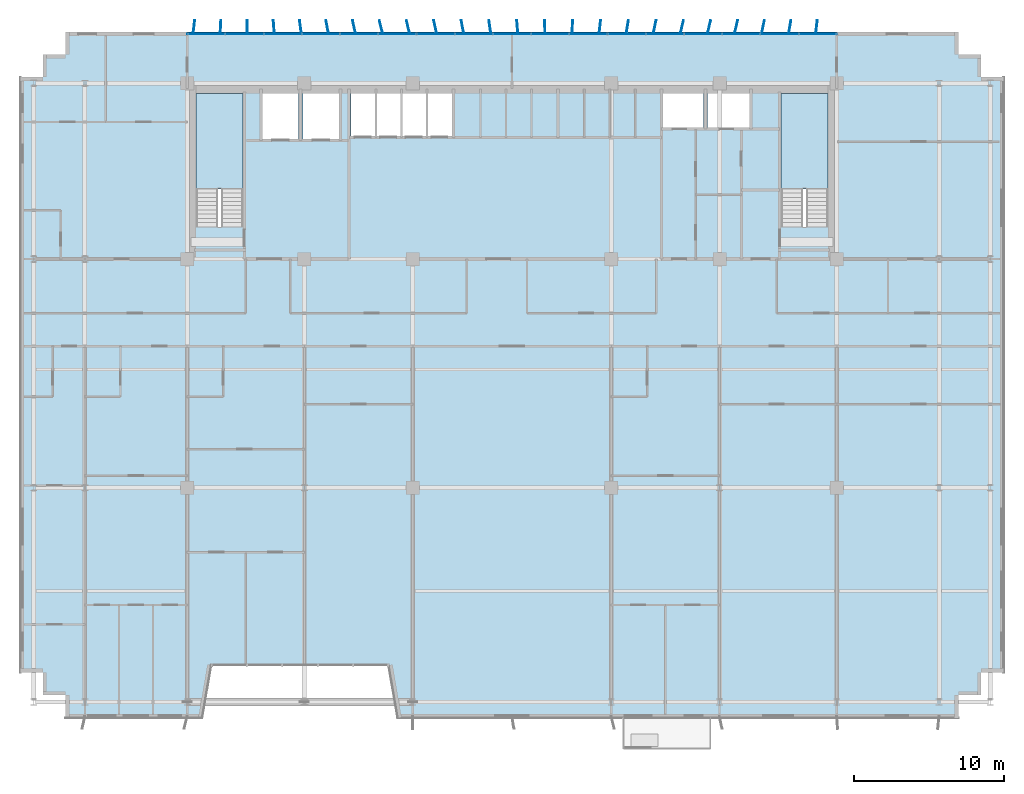
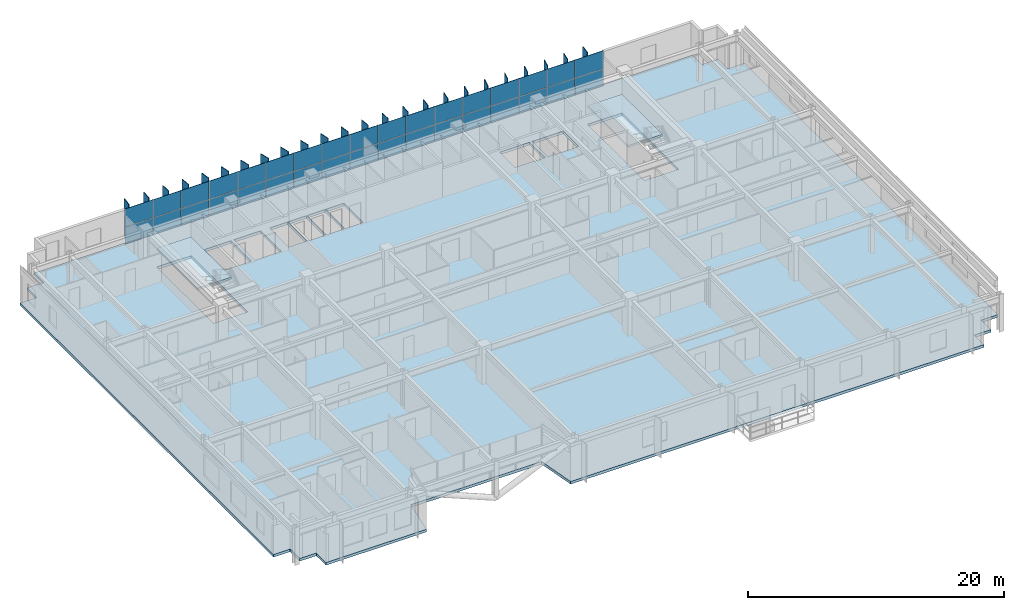
# One storey, part 17 of 25: 58 plates, 3 slabs, 3 elements without a shape of their own.
"""IFC4 building model written with IfcOpenShell, lengths in metres."""

from ifc_helpers import new_model, si_unit, direction, frame, origin, origin_2d, place, context, subcontext, project, spatial, polyline, rectangle, outline, extrude, source, transform, mapped, material, layer, layer_set, type_object, element, aggregate, save


model = new_model("IFC4")

# Units and contexts
model_context = context("Model", 3, precision=1e-05, world=origin(), true_north=direction((0.0, 1.0)))
body_context = subcontext(model_context, "Body", "Model", "MODEL_VIEW")
ifc_project = project(units=[si_unit("LENGTHUNIT", "METRE"), si_unit("AREAUNIT", "SQUARE_METRE"), si_unit("VOLUMEUNIT", "CUBIC_METRE"), si_unit("PLANEANGLEUNIT", "RADIAN"), si_unit("MASSUNIT", "GRAM", prefix="KILO")], contexts=[model_context])

# Site, building, storey
site_placement = place(None, origin())
site = spatial("IfcSite", under=ifc_project, at=site_placement, CompositionType="ELEMENT")
building_placement = place(site_placement, origin())
building = spatial("IfcBuilding", under=site, at=building_placement, Name="Trelvane Seafront Commons", CompositionType="ELEMENT")
storey_placement = place(building_placement, frame((0.0, 0.0, 66.699951171875)))
storey = spatial("IfcBuildingStorey", under=building, at=storey_placement, Name="L17", CompositionType="ELEMENT", Elevation=66.699951171875)

# Stair, slab
ifc_material_1 = material(Name="Concrete C40/50", Category="concrete")
stair_type_1 = type_object("IfcStairType", Name="ARCH-STR-ST-1-R20-180", PredefinedType="HALF_TURN_STAIR", material=ifc_material_1)
stair_1_placement = place(storey_placement, origin())
stair_1 = element("IfcStair", 1, at=stair_1_placement, inside=storey, type_object=stair_type_1, Name="L17 West Protected Firefighting Exit Stair ST-1", PredefinedType="HALF_TURN_STAIR")
ifc_layer_1 = layer(ifc_material_1, 0.199951171875, Name="ARCH-LND-200")
ifc_layer_set_1 = layer_set([ifc_layer_1], Name="Concrete C40/50")
slab_type_1 = type_object("IfcSlabType", Name="ARCH-LND-200", PredefinedType="LANDING", material=ifc_layer_set_1)
slab_1_placement = place(storey_placement, frame((0.0, 0.0, 1.60009765625)))
slab_1 = element("IfcSlab", 2, at=slab_1_placement, type_object=slab_type_1, Name="ST-1 landing 1", PredefinedType="LANDING", context=body_context, shape_type="SweptSolid", body=[
    extrude(outline(polyline([(19.300048828125, 38.070068359375), (19.300048828125, 44.39990234375), (16.199951171875, 44.39990234375), (16.199951171875, 38.070068359375), (19.300048828125, 38.070068359375)])), origin(), (0.0, 0.0, 1.0), 0.199951171875),
])
aggregate(stair_1, [slab_1])

stair_type_2 = type_object("IfcStairType", Name="ARCH-STR-ST-2-R20-180", PredefinedType="HALF_TURN_STAIR", material=ifc_material_1)
stair_2_placement = place(storey_placement, origin())
stair_2 = element("IfcStair", 3, at=stair_2_placement, inside=storey, type_object=stair_type_2, Name="L17 East Protected Firefighting Exit Stair ST-2", PredefinedType="HALF_TURN_STAIR")
slab_2_placement = place(storey_placement, frame((0.0, 0.0, 1.60009765625)))
slab_2 = element("IfcSlab", 4, at=slab_2_placement, type_object=slab_type_1, Name="ST-2 landing 1", PredefinedType="LANDING", context=body_context, shape_type="SweptSolid", body=[
    extrude(outline(polyline([(58.199951171875, 38.070068359375), (58.199951171875, 44.39990234375), (55.10009765625, 44.39990234375), (55.10009765625, 38.070068359375), (58.199951171875, 38.070068359375)])), origin(), (0.0, 0.0, 1.0), 0.199951171875),
])
aggregate(stair_2, [slab_2])

# Slab
ifc_material_2 = material(Name="Concrete C50/60", Category="concrete")
ifc_layer_2 = layer(ifc_material_2, 0.260009765625, Name="STR-SLB-Z1-260")
ifc_layer_set_2 = layer_set([ifc_layer_2], Name="Concrete C50/60")
slab_type_2 = type_object("IfcSlabType", Name="STR-SLB-Z1-260", PredefinedType="FLOOR", material=ifc_layer_set_2)
slab_3_placement = place(storey_placement, frame((0.0, 0.0, -0.260009765625)))
element("IfcSlab", 5, at=slab_3_placement, inside=storey, type_object=slab_type_2, Name="L17 Structural Floor Slab", PredefinedType="FLOOR", context=body_context, shape_type="SweptSolid", body=[
    extrude(outline(polyline([(7.5, 2.89990234375), (16.60009765625, 2.89990234375), (17.199951171875, 6.39990234375), (29.0, 6.39990234375), (29.60009765625, 2.89990234375), (66.89990234375, 2.89990234375), (66.89990234375, 4.39990234375), (68.39990234375, 4.39990234375), (68.39990234375, 5.89990234375), (69.89990234375, 5.89990234375), (69.89990234375, 45.5), (68.39990234375, 45.5), (68.39990234375, 47.0), (66.89990234375, 47.0), (66.89990234375, 48.5), (7.5, 48.5), (7.5, 47.0), (6.0, 47.0), (6.0, 45.5), (4.5, 45.5), (4.5, 5.89990234375), (6.0, 5.89990234375), (6.0, 4.39990234375), (7.5, 4.39990234375), (7.5, 2.89990234375)]), holes=[polyline([(19.300048828125, 35.550048828125), (16.199951171875, 35.550048828125), (16.199951171875, 44.39990234375), (19.300048828125, 44.39990234375), (19.300048828125, 35.550048828125)]), polyline([(58.199951171875, 35.550048828125), (55.10009765625, 35.550048828125), (55.10009765625, 44.39990234375), (58.199951171875, 44.39990234375), (58.199951171875, 35.550048828125)]), polyline([(23.0, 41.39990234375), (20.60009765625, 41.39990234375), (20.60009765625, 44.60009765625), (23.0, 44.60009765625), (23.0, 41.39990234375)]), polyline([(23.300048828125, 41.39990234375), (23.300048828125, 44.60009765625), (25.699951171875, 44.60009765625), (25.699951171875, 41.39990234375), (23.300048828125, 41.39990234375)]), polyline([(26.5, 41.60009765625), (26.5, 44.60009765625), (28.1201171875, 44.60009765625), (28.1201171875, 41.60009765625), (26.5, 41.60009765625)]), polyline([(29.820068359375, 41.60009765625), (28.199951171875, 41.60009765625), (28.199951171875, 44.60009765625), (29.820068359375, 44.60009765625), (29.820068359375, 41.60009765625)]), polyline([(31.52001953125, 41.60009765625), (29.89990234375, 41.60009765625), (29.89990234375, 44.60009765625), (31.52001953125, 44.60009765625), (31.52001953125, 41.60009765625)]), polyline([(33.219970703125, 41.60009765625), (31.60009765625, 41.60009765625), (31.60009765625, 44.60009765625), (33.219970703125, 44.60009765625), (33.219970703125, 41.60009765625)]), polyline([(47.25, 42.14990234375), (47.25, 44.550048828125), (49.949951171875, 44.550048828125), (49.949951171875, 42.14990234375), (47.25, 42.14990234375)]), polyline([(50.199951171875, 42.14990234375), (50.199951171875, 44.550048828125), (53.0, 44.550048828125), (53.0, 42.14990234375), (50.199951171875, 42.14990234375)])]), origin(), (0.0, 0.0, 1.0), 0.260009765625),
])

# Curtain wall, plates
ifc_material_3 = material(Name="Anodised pale-silver aluminium", Category="aluminium")
curtain_wall_type = type_object("IfcCurtainWallType", Name="ARCH-CW2-LOWTOWER", PredefinedType="NOTDEFINED", material=ifc_material_3)
curtain_wall_placement = place(storey_placement, origin())
curtain_wall = element("IfcCurtainWall", 6, at=curtain_wall_placement, inside=storey, type_object=curtain_wall_type, Name="CW-L17-0041", PredefinedType="NOTDEFINED")
ifc_material_4 = material(Name="Low-E coastal double glazing", Category="glass")
ifc_layer_3 = layer(ifc_material_4, 0.033935546875, Name="ARCH-CW-GLAZ-34")
ifc_layer_set_3 = layer_set([ifc_layer_3], Name="Low-E coastal double glazing")
plate_type_1 = type_object("IfcPlateType", Name="ARCH-CW-GLAZ-34", PredefinedType="CURTAIN_PANEL", material=ifc_layer_set_3)
shared_shape_1 = source(origin(), body_context, "Body", "SweptSolid", [
    extrude(rectangle(XDim=2.51708984375, YDim=0.031982421875, at=origin_2d()), origin(), (0.0, 0.0, 1.0), 1.5849609375),
])
plate_1_placement = place(storey_placement, frame((16.87060546875, 48.3701171875, 0.0), z_axis=(0.0, 0.0, 1.0), x_axis=(1.0, 0.0, 0.0)))
plate_1 = element("IfcPlate", 7, at=plate_1_placement, type_object=plate_type_1, Name="CW-L17-0041-P00-1", PredefinedType="CURTAIN_PANEL", context=body_context, shape_type="MappedRepresentation", body=[
    mapped(shared_shape_1, transform((0.0, 0.0, 0.0), x_axis=(1.0, 0.0, 0.0), y_axis=(0.0, 1.0, 0.0), z_axis=(0.0, 0.0, 1.0), scale=1.0)),
])
plate_2_placement = place(storey_placement, frame((19.411865234375, 48.3701171875, 0.0), z_axis=(0.0, 0.0, 1.0), x_axis=(1.0, 0.0, 0.0)))
plate_2 = element("IfcPlate", 8, at=plate_2_placement, type_object=plate_type_1, Name="CW-L17-0041-P01-1", PredefinedType="CURTAIN_PANEL", context=body_context, shape_type="MappedRepresentation", body=[
    mapped(shared_shape_1, transform((0.0, 0.0, 0.0), x_axis=(1.0, 0.0, 0.0), y_axis=(0.0, 1.0, 0.0), z_axis=(0.0, 0.0, 1.0), scale=1.0)),
])
plate_3_placement = place(storey_placement, frame((21.952880859375, 48.3701171875, 0.0), z_axis=(0.0, 0.0, 1.0), x_axis=(1.0, 0.0, 0.0)))
plate_3 = element("IfcPlate", 9, at=plate_3_placement, type_object=plate_type_1, Name="CW-L17-0041-P02-1", PredefinedType="CURTAIN_PANEL", context=body_context, shape_type="MappedRepresentation", body=[
    mapped(shared_shape_1, transform((0.0, 0.0, 0.0), x_axis=(1.0, 0.0, 0.0), y_axis=(0.0, 1.0, 0.0), z_axis=(0.0, 0.0, 1.0), scale=1.0)),
])
plate_4_placement = place(storey_placement, frame((24.494140625, 48.3701171875, 0.0), z_axis=(0.0, 0.0, 1.0), x_axis=(1.0, 0.0, 0.0)))
plate_4 = element("IfcPlate", 10, at=plate_4_placement, type_object=plate_type_1, Name="CW-L17-0041-P03-1", PredefinedType="CURTAIN_PANEL", context=body_context, shape_type="MappedRepresentation", body=[
    mapped(shared_shape_1, transform((0.0, 0.0, 0.0), x_axis=(1.0, 0.0, 0.0), y_axis=(0.0, 1.0, 0.0), z_axis=(0.0, 0.0, 1.0), scale=1.0)),
])
plate_5_placement = place(storey_placement, frame((27.035400390625, 48.3701171875, 0.0), z_axis=(0.0, 0.0, 1.0), x_axis=(1.0, 0.0, 0.0)))
plate_5 = element("IfcPlate", 11, at=plate_5_placement, type_object=plate_type_1, Name="CW-L17-0041-P04-1", PredefinedType="CURTAIN_PANEL", context=body_context, shape_type="MappedRepresentation", body=[
    mapped(shared_shape_1, transform((0.0, 0.0, 0.0), x_axis=(1.0, 0.0, 0.0), y_axis=(0.0, 1.0, 0.0), z_axis=(0.0, 0.0, 1.0), scale=1.0)),
])
plate_6_placement = place(storey_placement, frame((29.576416015625, 48.3701171875, 0.0), z_axis=(0.0, 0.0, 1.0), x_axis=(1.0, 0.0, 0.0)))
plate_6 = element("IfcPlate", 12, at=plate_6_placement, type_object=plate_type_1, Name="CW-L17-0041-P05-1", PredefinedType="CURTAIN_PANEL", context=body_context, shape_type="MappedRepresentation", body=[
    mapped(shared_shape_1, transform((0.0, 0.0, 0.0), x_axis=(1.0, 0.0, 0.0), y_axis=(0.0, 1.0, 0.0), z_axis=(0.0, 0.0, 1.0), scale=1.0)),
])
plate_7_placement = place(storey_placement, frame((32.11767578125, 48.3701171875, 0.0), z_axis=(0.0, 0.0, 1.0), x_axis=(1.0, 0.0, 0.0)))
plate_7 = element("IfcPlate", 13, at=plate_7_placement, type_object=plate_type_1, Name="CW-L17-0041-P06-1", PredefinedType="CURTAIN_PANEL", context=body_context, shape_type="MappedRepresentation", body=[
    mapped(shared_shape_1, transform((0.0, 0.0, 0.0), x_axis=(1.0, 0.0, 0.0), y_axis=(0.0, 1.0, 0.0), z_axis=(0.0, 0.0, 1.0), scale=1.0)),
])
plate_8_placement = place(storey_placement, frame((34.65869140625, 48.3701171875, 0.0), z_axis=(0.0, 0.0, 1.0), x_axis=(1.0, 0.0, 0.0)))
plate_8 = element("IfcPlate", 14, at=plate_8_placement, type_object=plate_type_1, Name="CW-L17-0041-P07-1", PredefinedType="CURTAIN_PANEL", context=body_context, shape_type="MappedRepresentation", body=[
    mapped(shared_shape_1, transform((0.0, 0.0, 0.0), x_axis=(1.0, 0.0, 0.0), y_axis=(0.0, 1.0, 0.0), z_axis=(0.0, 0.0, 1.0), scale=1.0)),
])
plate_9_placement = place(storey_placement, frame((37.199951171875, 48.3701171875, 0.0), z_axis=(0.0, 0.0, 1.0), x_axis=(1.0, 0.0, 0.0)))
plate_9 = element("IfcPlate", 15, at=plate_9_placement, type_object=plate_type_1, Name="CW-L17-0041-P08-1", PredefinedType="CURTAIN_PANEL", context=body_context, shape_type="MappedRepresentation", body=[
    mapped(shared_shape_1, transform((0.0, 0.0, 0.0), x_axis=(1.0, 0.0, 0.0), y_axis=(0.0, 1.0, 0.0), z_axis=(0.0, 0.0, 1.0), scale=1.0)),
])
plate_10_placement = place(storey_placement, frame((39.7412109375, 48.3701171875, 0.0), z_axis=(0.0, 0.0, 1.0), x_axis=(1.0, 0.0, 0.0)))
plate_10 = element("IfcPlate", 16, at=plate_10_placement, type_object=plate_type_1, Name="CW-L17-0041-P09-1", PredefinedType="CURTAIN_PANEL", context=body_context, shape_type="MappedRepresentation", body=[
    mapped(shared_shape_1, transform((0.0, 0.0, 0.0), x_axis=(1.0, 0.0, 0.0), y_axis=(0.0, 1.0, 0.0), z_axis=(0.0, 0.0, 1.0), scale=1.0)),
])
plate_11_placement = place(storey_placement, frame((42.282470703125, 48.3701171875, 0.0), z_axis=(0.0, 0.0, 1.0), x_axis=(1.0, 0.0, 0.0)))
plate_11 = element("IfcPlate", 17, at=plate_11_placement, type_object=plate_type_1, Name="CW-L17-0041-P10-1", PredefinedType="CURTAIN_PANEL", context=body_context, shape_type="MappedRepresentation", body=[
    mapped(shared_shape_1, transform((0.0, 0.0, 0.0), x_axis=(1.0, 0.0, 0.0), y_axis=(0.0, 1.0, 0.0), z_axis=(0.0, 0.0, 1.0), scale=1.0)),
])
plate_12_placement = place(storey_placement, frame((44.823486328125, 48.3701171875, 0.0), z_axis=(0.0, 0.0, 1.0), x_axis=(1.0, 0.0, 0.0)))
plate_12 = element("IfcPlate", 18, at=plate_12_placement, type_object=plate_type_1, Name="CW-L17-0041-P11-1", PredefinedType="CURTAIN_PANEL", context=body_context, shape_type="MappedRepresentation", body=[
    mapped(shared_shape_1, transform((0.0, 0.0, 0.0), x_axis=(1.0, 0.0, 0.0), y_axis=(0.0, 1.0, 0.0), z_axis=(0.0, 0.0, 1.0), scale=1.0)),
])
plate_13_placement = place(storey_placement, frame((47.36474609375, 48.3701171875, 0.0), z_axis=(0.0, 0.0, 1.0), x_axis=(1.0, 0.0, 0.0)))
plate_13 = element("IfcPlate", 19, at=plate_13_placement, type_object=plate_type_1, Name="CW-L17-0041-P12-1", PredefinedType="CURTAIN_PANEL", context=body_context, shape_type="MappedRepresentation", body=[
    mapped(shared_shape_1, transform((0.0, 0.0, 0.0), x_axis=(1.0, 0.0, 0.0), y_axis=(0.0, 1.0, 0.0), z_axis=(0.0, 0.0, 1.0), scale=1.0)),
])
plate_14_placement = place(storey_placement, frame((49.906005859375, 48.3701171875, 0.0), z_axis=(0.0, 0.0, 1.0), x_axis=(1.0, 0.0, 0.0)))
plate_14 = element("IfcPlate", 20, at=plate_14_placement, type_object=plate_type_1, Name="CW-L17-0041-P13-1", PredefinedType="CURTAIN_PANEL", context=body_context, shape_type="MappedRepresentation", body=[
    mapped(shared_shape_1, transform((0.0, 0.0, 0.0), x_axis=(1.0, 0.0, 0.0), y_axis=(0.0, 1.0, 0.0), z_axis=(0.0, 0.0, 1.0), scale=1.0)),
])
plate_15_placement = place(storey_placement, frame((52.447021484375, 48.3701171875, 0.0), z_axis=(0.0, 0.0, 1.0), x_axis=(1.0, 0.0, 0.0)))
plate_15 = element("IfcPlate", 21, at=plate_15_placement, type_object=plate_type_1, Name="CW-L17-0041-P14-1", PredefinedType="CURTAIN_PANEL", context=body_context, shape_type="MappedRepresentation", body=[
    mapped(shared_shape_1, transform((0.0, 0.0, 0.0), x_axis=(1.0, 0.0, 0.0), y_axis=(0.0, 1.0, 0.0), z_axis=(0.0, 0.0, 1.0), scale=1.0)),
])
plate_16_placement = place(storey_placement, frame((54.98828125, 48.3701171875, 0.0), z_axis=(0.0, 0.0, 1.0), x_axis=(1.0, 0.0, 0.0)))
plate_16 = element("IfcPlate", 22, at=plate_16_placement, type_object=plate_type_1, Name="CW-L17-0041-P15-1", PredefinedType="CURTAIN_PANEL", context=body_context, shape_type="MappedRepresentation", body=[
    mapped(shared_shape_1, transform((0.0, 0.0, 0.0), x_axis=(1.0, 0.0, 0.0), y_axis=(0.0, 1.0, 0.0), z_axis=(0.0, 0.0, 1.0), scale=1.0)),
])
plate_17_placement = place(storey_placement, frame((57.529296875, 48.3701171875, 0.0), z_axis=(0.0, 0.0, 1.0), x_axis=(1.0, 0.0, 0.0)))
plate_17 = element("IfcPlate", 23, at=plate_17_placement, type_object=plate_type_1, Name="CW-L17-0041-P16-1", PredefinedType="CURTAIN_PANEL", context=body_context, shape_type="MappedRepresentation", body=[
    mapped(shared_shape_1, transform((0.0, 0.0, 0.0), x_axis=(1.0, 0.0, 0.0), y_axis=(0.0, 1.0, 0.0), z_axis=(0.0, 0.0, 1.0), scale=1.0)),
])
shared_shape_2 = source(origin(), body_context, "Body", "SweptSolid", [
    extrude(rectangle(XDim=2.51708984375, YDim=0.031982421875, at=origin_2d()), origin(), (0.0, 0.0, 1.0), 1.718994140625),
])
plate_18_placement = place(storey_placement, frame((16.87060546875, 48.3701171875, 1.62109375), z_axis=(0.0, 0.0, 1.0), x_axis=(1.0, 0.0, 0.0)))
plate_18 = element("IfcPlate", 24, at=plate_18_placement, type_object=plate_type_1, Name="CW-L17-0041-P00-2", PredefinedType="CURTAIN_PANEL", context=body_context, shape_type="MappedRepresentation", body=[
    mapped(shared_shape_2, transform((0.0, 0.0, 0.0), x_axis=(1.0, 0.0, 0.0), y_axis=(0.0, 1.0, 0.0), z_axis=(0.0, 0.0, 1.0), scale=1.0)),
])
plate_19_placement = place(storey_placement, frame((19.411865234375, 48.3701171875, 1.62109375), z_axis=(0.0, 0.0, 1.0), x_axis=(1.0, 0.0, 0.0)))
plate_19 = element("IfcPlate", 25, at=plate_19_placement, type_object=plate_type_1, Name="CW-L17-0041-P01-2", PredefinedType="CURTAIN_PANEL", context=body_context, shape_type="MappedRepresentation", body=[
    mapped(shared_shape_2, transform((0.0, 0.0, 0.0), x_axis=(1.0, 0.0, 0.0), y_axis=(0.0, 1.0, 0.0), z_axis=(0.0, 0.0, 1.0), scale=1.0)),
])
plate_20_placement = place(storey_placement, frame((21.952880859375, 48.3701171875, 1.62109375), z_axis=(0.0, 0.0, 1.0), x_axis=(1.0, 0.0, 0.0)))
plate_20 = element("IfcPlate", 26, at=plate_20_placement, type_object=plate_type_1, Name="CW-L17-0041-P02-2", PredefinedType="CURTAIN_PANEL", context=body_context, shape_type="MappedRepresentation", body=[
    mapped(shared_shape_2, transform((0.0, 0.0, 0.0), x_axis=(1.0, 0.0, 0.0), y_axis=(0.0, 1.0, 0.0), z_axis=(0.0, 0.0, 1.0), scale=1.0)),
])
plate_21_placement = place(storey_placement, frame((24.494140625, 48.3701171875, 1.62109375), z_axis=(0.0, 0.0, 1.0), x_axis=(1.0, 0.0, 0.0)))
plate_21 = element("IfcPlate", 27, at=plate_21_placement, type_object=plate_type_1, Name="CW-L17-0041-P03-2", PredefinedType="CURTAIN_PANEL", context=body_context, shape_type="MappedRepresentation", body=[
    mapped(shared_shape_2, transform((0.0, 0.0, 0.0), x_axis=(1.0, 0.0, 0.0), y_axis=(0.0, 1.0, 0.0), z_axis=(0.0, 0.0, 1.0), scale=1.0)),
])
plate_22_placement = place(storey_placement, frame((27.035400390625, 48.3701171875, 1.62109375), z_axis=(0.0, 0.0, 1.0), x_axis=(1.0, 0.0, 0.0)))
plate_22 = element("IfcPlate", 28, at=plate_22_placement, type_object=plate_type_1, Name="CW-L17-0041-P04-2", PredefinedType="CURTAIN_PANEL", context=body_context, shape_type="MappedRepresentation", body=[
    mapped(shared_shape_2, transform((0.0, 0.0, 0.0), x_axis=(1.0, 0.0, 0.0), y_axis=(0.0, 1.0, 0.0), z_axis=(0.0, 0.0, 1.0), scale=1.0)),
])
plate_23_placement = place(storey_placement, frame((29.576416015625, 48.3701171875, 1.62109375), z_axis=(0.0, 0.0, 1.0), x_axis=(1.0, 0.0, 0.0)))
plate_23 = element("IfcPlate", 29, at=plate_23_placement, type_object=plate_type_1, Name="CW-L17-0041-P05-2", PredefinedType="CURTAIN_PANEL", context=body_context, shape_type="MappedRepresentation", body=[
    mapped(shared_shape_2, transform((0.0, 0.0, 0.0), x_axis=(1.0, 0.0, 0.0), y_axis=(0.0, 1.0, 0.0), z_axis=(0.0, 0.0, 1.0), scale=1.0)),
])
plate_24_placement = place(storey_placement, frame((32.11767578125, 48.3701171875, 1.62109375), z_axis=(0.0, 0.0, 1.0), x_axis=(1.0, 0.0, 0.0)))
plate_24 = element("IfcPlate", 30, at=plate_24_placement, type_object=plate_type_1, Name="CW-L17-0041-P06-2", PredefinedType="CURTAIN_PANEL", context=body_context, shape_type="MappedRepresentation", body=[
    mapped(shared_shape_2, transform((0.0, 0.0, 0.0), x_axis=(1.0, 0.0, 0.0), y_axis=(0.0, 1.0, 0.0), z_axis=(0.0, 0.0, 1.0), scale=1.0)),
])
plate_25_placement = place(storey_placement, frame((34.65869140625, 48.3701171875, 1.62109375), z_axis=(0.0, 0.0, 1.0), x_axis=(1.0, 0.0, 0.0)))
plate_25 = element("IfcPlate", 31, at=plate_25_placement, type_object=plate_type_1, Name="CW-L17-0041-P07-2", PredefinedType="CURTAIN_PANEL", context=body_context, shape_type="MappedRepresentation", body=[
    mapped(shared_shape_2, transform((0.0, 0.0, 0.0), x_axis=(1.0, 0.0, 0.0), y_axis=(0.0, 1.0, 0.0), z_axis=(0.0, 0.0, 1.0), scale=1.0)),
])
plate_26_placement = place(storey_placement, frame((37.199951171875, 48.3701171875, 1.62109375), z_axis=(0.0, 0.0, 1.0), x_axis=(1.0, 0.0, 0.0)))
plate_26 = element("IfcPlate", 32, at=plate_26_placement, type_object=plate_type_1, Name="CW-L17-0041-P08-2", PredefinedType="CURTAIN_PANEL", context=body_context, shape_type="MappedRepresentation", body=[
    mapped(shared_shape_2, transform((0.0, 0.0, 0.0), x_axis=(1.0, 0.0, 0.0), y_axis=(0.0, 1.0, 0.0), z_axis=(0.0, 0.0, 1.0), scale=1.0)),
])
plate_27_placement = place(storey_placement, frame((39.7412109375, 48.3701171875, 1.62109375), z_axis=(0.0, 0.0, 1.0), x_axis=(1.0, 0.0, 0.0)))
plate_27 = element("IfcPlate", 33, at=plate_27_placement, type_object=plate_type_1, Name="CW-L17-0041-P09-2", PredefinedType="CURTAIN_PANEL", context=body_context, shape_type="MappedRepresentation", body=[
    mapped(shared_shape_2, transform((0.0, 0.0, 0.0), x_axis=(1.0, 0.0, 0.0), y_axis=(0.0, 1.0, 0.0), z_axis=(0.0, 0.0, 1.0), scale=1.0)),
])
plate_28_placement = place(storey_placement, frame((42.282470703125, 48.3701171875, 1.62109375), z_axis=(0.0, 0.0, 1.0), x_axis=(1.0, 0.0, 0.0)))
plate_28 = element("IfcPlate", 34, at=plate_28_placement, type_object=plate_type_1, Name="CW-L17-0041-P10-2", PredefinedType="CURTAIN_PANEL", context=body_context, shape_type="MappedRepresentation", body=[
    mapped(shared_shape_2, transform((0.0, 0.0, 0.0), x_axis=(1.0, 0.0, 0.0), y_axis=(0.0, 1.0, 0.0), z_axis=(0.0, 0.0, 1.0), scale=1.0)),
])
plate_29_placement = place(storey_placement, frame((44.823486328125, 48.3701171875, 1.62109375), z_axis=(0.0, 0.0, 1.0), x_axis=(1.0, 0.0, 0.0)))
plate_29 = element("IfcPlate", 35, at=plate_29_placement, type_object=plate_type_1, Name="CW-L17-0041-P11-2", PredefinedType="CURTAIN_PANEL", context=body_context, shape_type="MappedRepresentation", body=[
    mapped(shared_shape_2, transform((0.0, 0.0, 0.0), x_axis=(1.0, 0.0, 0.0), y_axis=(0.0, 1.0, 0.0), z_axis=(0.0, 0.0, 1.0), scale=1.0)),
])
plate_30_placement = place(storey_placement, frame((47.36474609375, 48.3701171875, 1.62109375), z_axis=(0.0, 0.0, 1.0), x_axis=(1.0, 0.0, 0.0)))
plate_30 = element("IfcPlate", 36, at=plate_30_placement, type_object=plate_type_1, Name="CW-L17-0041-P12-2", PredefinedType="CURTAIN_PANEL", context=body_context, shape_type="MappedRepresentation", body=[
    mapped(shared_shape_2, transform((0.0, 0.0, 0.0), x_axis=(1.0, 0.0, 0.0), y_axis=(0.0, 1.0, 0.0), z_axis=(0.0, 0.0, 1.0), scale=1.0)),
])
plate_31_placement = place(storey_placement, frame((49.906005859375, 48.3701171875, 1.62109375), z_axis=(0.0, 0.0, 1.0), x_axis=(1.0, 0.0, 0.0)))
plate_31 = element("IfcPlate", 37, at=plate_31_placement, type_object=plate_type_1, Name="CW-L17-0041-P13-2", PredefinedType="CURTAIN_PANEL", context=body_context, shape_type="MappedRepresentation", body=[
    mapped(shared_shape_2, transform((0.0, 0.0, 0.0), x_axis=(1.0, 0.0, 0.0), y_axis=(0.0, 1.0, 0.0), z_axis=(0.0, 0.0, 1.0), scale=1.0)),
])
plate_32_placement = place(storey_placement, frame((52.447021484375, 48.3701171875, 1.62109375), z_axis=(0.0, 0.0, 1.0), x_axis=(1.0, 0.0, 0.0)))
plate_32 = element("IfcPlate", 38, at=plate_32_placement, type_object=plate_type_1, Name="CW-L17-0041-P14-2", PredefinedType="CURTAIN_PANEL", context=body_context, shape_type="MappedRepresentation", body=[
    mapped(shared_shape_2, transform((0.0, 0.0, 0.0), x_axis=(1.0, 0.0, 0.0), y_axis=(0.0, 1.0, 0.0), z_axis=(0.0, 0.0, 1.0), scale=1.0)),
])
plate_33_placement = place(storey_placement, frame((54.98828125, 48.3701171875, 1.62109375), z_axis=(0.0, 0.0, 1.0), x_axis=(1.0, 0.0, 0.0)))
plate_33 = element("IfcPlate", 39, at=plate_33_placement, type_object=plate_type_1, Name="CW-L17-0041-P15-2", PredefinedType="CURTAIN_PANEL", context=body_context, shape_type="MappedRepresentation", body=[
    mapped(shared_shape_2, transform((0.0, 0.0, 0.0), x_axis=(1.0, 0.0, 0.0), y_axis=(0.0, 1.0, 0.0), z_axis=(0.0, 0.0, 1.0), scale=1.0)),
])
plate_34_placement = place(storey_placement, frame((57.529296875, 48.3701171875, 1.62109375), z_axis=(0.0, 0.0, 1.0), x_axis=(1.0, 0.0, 0.0)))
plate_34 = element("IfcPlate", 40, at=plate_34_placement, type_object=plate_type_1, Name="CW-L17-0041-P16-2", PredefinedType="CURTAIN_PANEL", context=body_context, shape_type="MappedRepresentation", body=[
    mapped(shared_shape_2, transform((0.0, 0.0, 0.0), x_axis=(1.0, 0.0, 0.0), y_axis=(0.0, 1.0, 0.0), z_axis=(0.0, 0.0, 1.0), scale=1.0)),
])
aggregate(curtain_wall, [plate_1, plate_18, plate_2, plate_19, plate_3, plate_20, plate_4, plate_21, plate_5, plate_22, plate_6, plate_23, plate_7, plate_24, plate_8, plate_25, plate_9, plate_26, plate_10, plate_27, plate_11, plate_28, plate_12, plate_29, plate_13, plate_30, plate_14, plate_31, plate_15, plate_32, plate_16, plate_33, plate_17, plate_34])

# Plates
ifc_layer_4 = layer(ifc_material_3, 0.06005859375, Name="ARCH-PLATE-FIN900")
ifc_layer_set_4 = layer_set([ifc_layer_4], Name="Anodised pale-silver aluminium")
plate_type_2 = type_object("IfcPlateType", Name="ARCH-PLATE-FIN900", PredefinedType="USERDEFINED", material=ifc_layer_set_4)
shared_shape_3 = source(origin(), body_context, "Body", "SweptSolid", [
    extrude(rectangle(XDim=0.89990234375, YDim=0.06005859375, at=origin_2d()), origin(), (0.0, 0.0, 1.0), 3.639892578125),
])
for number, where, z_axis, x_axis, name in (
    (41, (16.052734375, 48.846923828125, -0.02001953125), (0.0, 0.0, 1.0), (0.117221943414, 0.993105742599, 0.0), "FIN-L17-00391"),
    (42, (17.824951171875, 48.849365234375, -0.02001953125), (0.0, 0.0, 1.0), (0.055335310798, 0.998467827914, 0.0), "FIN-L17-00392"),
    (43, (19.59521484375, 48.849853515625, -0.02001953125), (0.0, 0.0, 1.0), (-0.010888894013, 0.999940714236, 0.0), "FIN-L17-00393"),
    (44, (21.365478515625, 48.8486328125, -0.02001953125), (0.0, 0.0, 1.0), (-0.076330960996, 0.9970825364, 0.0), "FIN-L17-00394"),
    (45, (23.138916015625, 48.845703125, -0.02001953125), (0.0, 0.0, 1.0), (-0.135772635188, 0.990740022172, 0.0), "FIN-L17-00395"),
    (46, (24.9169921875, 48.84228515625, -0.02001953125), (0.0, 0.0, 1.0), (-0.184778178508, 0.982780252522, 0.0), "FIN-L17-00396"),
    (47, (26.700927734375, 48.839111328125, -0.02001953125), (0.0, 0.0, 1.0), (-0.219987520251, 0.975502686277, 0.0), "FIN-L17-00397"),
    (48, (28.492431640625, 48.8369140625, -0.02001953125), (0.0, 0.0, 1.0), (-0.238899549618, 0.971044285907, 0.0), "FIN-L17-00398"),
    (49, (30.291748046875, 48.8369140625, -0.02001953125), (0.0, 0.0, 1.0), (-0.240443202498, 0.970663209549, 0.0), "FIN-L17-00399"),
    (50, (32.09912109375, 48.83837890625, -0.02001953125), (0.0, 0.0, 1.0), (-0.224454450952, 0.974484581432, 0.0), "FIN-L17-00400"),
    (51, (33.913818359375, 48.841796875, -0.02001953125), (0.0, 0.0, 1.0), (-0.191883096585, 0.981417789346, 0.0), "FIN-L17-00401"),
    (52, (35.734619140625, 48.84521484375, -0.02001953125), (0.0, 0.0, 1.0), (-0.144998632499, 0.989431855447, 0.0), "FIN-L17-00402"),
    (53, (37.560791015625, 48.848388671875, -0.02001953125), (0.0, 0.0, 1.0), (-0.087108798082, 0.996198804103, 0.0), "FIN-L17-00403"),
    (54, (39.389892578125, 48.849853515625, -0.02001953125), (0.0, 0.0, 1.0), (-0.022443049695, 0.999748123039, 0.0), "FIN-L17-00404"),
    (55, (41.219970703125, 48.849609375, -0.02001953125), (0.0, 0.0, 1.0), (0.044112840093, 0.999026554872, 0.0), "FIN-L17-00405"),
    (56, (43.048095703125, 48.847412109375, -0.02001953125), (0.0, 0.0, 1.0), (0.107114401452, 0.994246702284, 0.0), "FIN-L17-00406"),
    (57, (44.872802734375, 48.843994140625, -0.02001953125), (0.0, 0.0, 1.0), (0.161786391481, 0.98682580202, 0.0), "FIN-L17-00407"),
    (58, (46.69189453125, 48.840576171875, -0.02001953125), (0.0, 0.0, 1.0), (0.204335455177, 0.978900925404, 0.0), "FIN-L17-00408"),
    (59, (48.504150390625, 48.837646484375, -0.02001953125), (0.0, 0.0, 1.0), (0.231566233335, 0.97281914022, 0.0), "FIN-L17-00409"),
    (60, (50.308837890625, 48.836669921875, -0.02001953125), (0.0, 0.0, 1.0), (0.241881251735, 0.970305859025, 0.0), "FIN-L17-00410"),
    (61, (52.105712890625, 48.83740234375, -0.02001953125), (0.0, 0.0, 1.0), (0.234553422003, 0.97210323126, 0.0), "FIN-L17-00411"),
    (62, (53.89453125, 48.840087890625, -0.02001953125), (0.0, 0.0, 1.0), (0.210113436601, 0.977677014029, 0.0), "FIN-L17-00412"),
    (63, (55.676513671875, 48.843505859375, -0.02001953125), (0.0, 0.0, 1.0), (0.170108026451, 0.985425420484, 0.0), "FIN-L17-00413"),
    (64, (57.45263671875, 48.846923828125, -0.02001953125), (0.0, 0.0, 1.0), (0.117221943414, 0.993105742599, 0.0), "FIN-L17-00414"),
):
    element("IfcPlate", number, at=place(storey_placement, frame(where, z_axis=z_axis, x_axis=x_axis)), inside=storey, type_object=plate_type_2, Name=name, ObjectType="FIN", PredefinedType="USERDEFINED", context=body_context, shape_type="MappedRepresentation", body=[
        mapped(shared_shape_3, transform((0.0, 0.0, 0.0), x_axis=(1.0, 0.0, 0.0), y_axis=(0.0, 1.0, 0.0), z_axis=(0.0, 0.0, 1.0), scale=1.0)),
    ])

save(model, "model.ifc")
